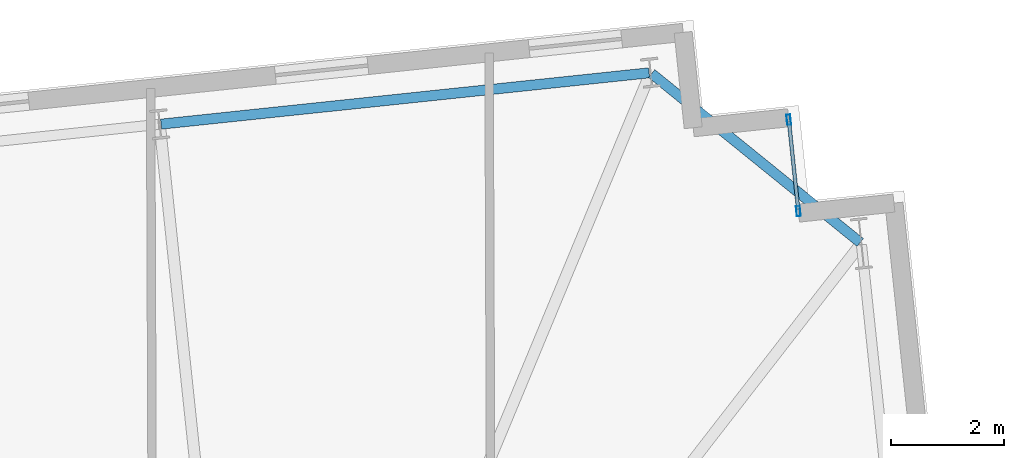
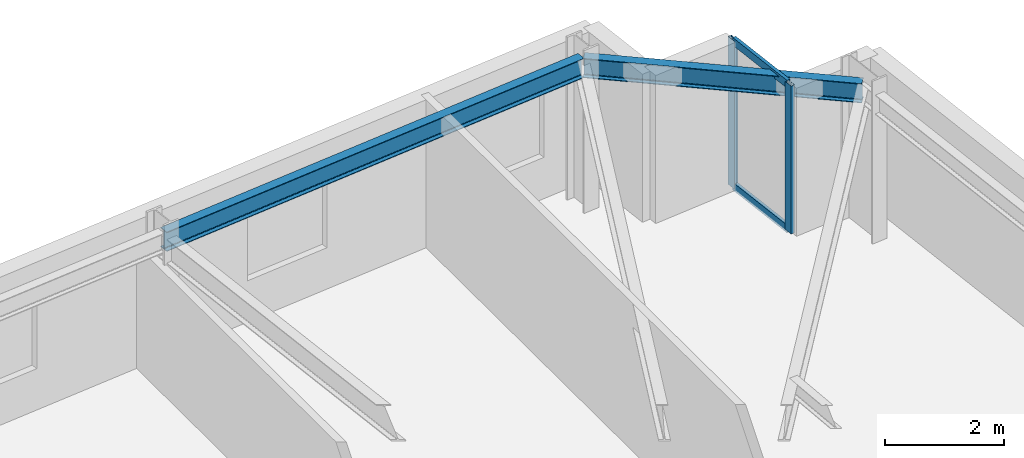
# One storey, part 10 of 18: 4 members, 2 beams, 1 element without a shape of its own.
"""IFC4 building model written with IfcOpenShell, lengths in metres."""

from ifc_helpers import new_model, si_unit, direction, frame, origin, origin_2d, place, context, subcontext, project, spatial, hollow_rectangle, i_section, extrude, material, layer, layer_set, material_profile, profile_set, type_object, element, aggregate, save


model = new_model("IFC4")

# Units and contexts
model_context = context("Model", 3, precision=1e-05, world=origin(), true_north=direction((0.0, 1.0)))
body_context = subcontext(model_context, "Body", "Model", "MODEL_VIEW")
ifc_project = project(units=[si_unit("LENGTHUNIT", "METRE"), si_unit("AREAUNIT", "SQUARE_METRE"), si_unit("VOLUMEUNIT", "CUBIC_METRE"), si_unit("PLANEANGLEUNIT", "RADIAN"), si_unit("MASSUNIT", "GRAM", prefix="KILO")], contexts=[model_context])

# Site, building, storey
site_placement = place(None, origin())
site = spatial("IfcSite", under=ifc_project, at=site_placement, CompositionType="ELEMENT")
building_placement = place(site_placement, origin())
building = spatial("IfcBuilding", under=site, at=building_placement, Name="Qobustan Lattice House", CompositionType="ELEMENT")
storey_placement = place(building_placement, frame((0.0, 0.0, 109.14990234375)))
storey = spatial("IfcBuildingStorey", under=building, at=storey_placement, Name="L30", CompositionType="ELEMENT", Elevation=109.14990234375)

# Beams
ifc_material_1 = material(Name="Steel S355", Category="steel")
ifc_material_profile_1 = material_profile(ifc_material_1, i_section(OverallWidth=0.179931640625, OverallDepth=0.39990234375, WebThickness=0.008544921875, FlangeThickness=0.013427734375, FilletRadius=0.02099609375, at=origin_2d()), Name="IPE400")
ifc_profile_set_1 = profile_set([ifc_material_profile_1], Name="Steel S355")
beam_type = type_object("IfcBeamType", Name="BM-SPD-IPE400", PredefinedType="SPANDREL", material=ifc_profile_set_1)
beam_1_placement = place(storey_placement, frame((29.536865234375, 19.484619140625, 2.84521484375), z_axis=(-0.777140911545, 0.629326627121, 0.0), x_axis=(-0.629326627121, -0.777140911545, 0.0)))
element("IfcBeam", 1, at=beam_1_placement, inside=storey, type_object=beam_type, Name="L30 perimeter spandrel E4-N1", PredefinedType="SPANDREL", context=body_context, shape_type="SweptSolid", body=[
    extrude(i_section(OverallWidth=0.179931640625, OverallDepth=0.39990234375, WebThickness=0.008544921875, FlangeThickness=0.013427734375, FilletRadius=0.02099609375, at=origin_2d()), origin(), (0.0, 0.0, 1.0), 4.758544921875),
])
beam_2_placement = place(storey_placement, frame((25.794677734375, 22.492431640625, 2.84521484375), z_axis=(-0.994521586424, -0.104531402636, 0.0), x_axis=(0.104531402636, -0.994521586424, 0.0)))
element("IfcBeam", 2, at=beam_2_placement, inside=storey, type_object=beam_type, Name="L30 perimeter spandrel N1-N2", PredefinedType="SPANDREL", context=body_context, shape_type="SweptSolid", body=[
    extrude(i_section(OverallWidth=0.179931640625, OverallDepth=0.39990234375, WebThickness=0.008544921875, FlangeThickness=0.013427734375, FilletRadius=0.02099609375, at=origin_2d()), origin(), (0.0, 0.0, 1.0), 8.699951171875),
])

# Curtain wall, members
ifc_material_2 = material(Name="Anodised aluminium and low-E glazing", Category="aluminium")
ifc_layer = layer(ifc_material_2, 0.219970703125)
ifc_layer_set = layer_set([ifc_layer], Name="Anodised aluminium and low-E glazing")
curtain_wall_type = type_object("IfcCurtainWallType", Name="CW-FAC-01", PredefinedType="USERDEFINED", material=ifc_layer_set)
curtain_wall_placement = place(storey_placement, origin())
curtain_wall = element("IfcCurtainWall", 3, at=curtain_wall_placement, inside=storey, type_object=curtain_wall_type, Name="L30 serrated corner faceted glazing 13", ObjectType="CURTAIN WALL", PredefinedType="USERDEFINED")
ifc_material_3 = material(Name="Anodised aluminium EN AW-6063 T6", Category="aluminium")
ifc_material_profile_2 = material_profile(ifc_material_3, hollow_rectangle(XDim=0.070068359375, YDim=0.179931640625, WallThickness=0.00439453125, at=origin_2d()), Name="CWM-180x70")
ifc_profile_set_2 = profile_set([ifc_material_profile_2], Name="Anodised aluminium EN AW-6063 T6")
member_type_1 = type_object("IfcMemberType", Name="CWM-STD-180", PredefinedType="MULLION", material=ifc_profile_set_2)
member_1_placement = place(storey_placement, frame((28.27001953125, 21.66162109375, 0.0), z_axis=(0.0, 0.0, 1.0), x_axis=(0.994521878892, 0.104528620025, 0.0)))
member_1 = element("IfcMember", 4, at=member_1_placement, type_object=member_type_1, Name="CW-F1 mullion 1", PredefinedType="MULLION", context=body_context, shape_type="SweptSolid", body=[
    extrude(hollow_rectangle(XDim=0.070068359375, YDim=0.179931640625, WallThickness=0.00439453125, at=origin_2d()), origin(), (0.0, 0.0, 1.0), 3.045166015625),
])
member_2_placement = place(storey_placement, frame((28.4404296875, 20.04052734375, 0.0), z_axis=(0.0, 0.0, 1.0), x_axis=(0.994521878892, 0.104528620025, 0.0)))
member_2 = element("IfcMember", 5, at=member_2_placement, type_object=member_type_1, Name="CW-F1 mullion 2", PredefinedType="MULLION", context=body_context, shape_type="SweptSolid", body=[
    extrude(hollow_rectangle(XDim=0.070068359375, YDim=0.179931640625, WallThickness=0.00439453125, at=origin_2d()), origin(), (0.0, 0.0, 1.0), 3.045166015625),
])
ifc_material_4 = material(Name="Anodised aluminium EN AW-6063 T6", Category="aluminium")
ifc_material_profile_3 = material_profile(ifc_material_4, hollow_rectangle(XDim=0.06494140625, YDim=0.159912109375, WallThickness=0.00390625, at=origin_2d()), Name="CWT-160x65")
ifc_profile_set_3 = profile_set([ifc_material_profile_3], Name="Anodised aluminium EN AW-6063 T6")
member_type_2 = type_object("IfcMemberType", Name="CWT-HOR-160", PredefinedType="USERDEFINED", material=ifc_profile_set_3)
member_3_placement = place(storey_placement, frame((28.273681640625, 21.626708984375, 0.03271484375), z_axis=(0.104538150424, -0.994520877159, 0.0), x_axis=(0.994520877159, 0.104538150424, 0.0)))
member_3 = element("IfcMember", 6, at=member_3_placement, type_object=member_type_2, Name="CW-F1 transom 1.1", ObjectType="TRANSOM", PredefinedType="USERDEFINED", context=body_context, shape_type="SweptSolid", body=[
    extrude(hollow_rectangle(XDim=0.06494140625, YDim=0.159912109375, WallThickness=0.00390625, at=origin_2d()), origin(), (0.0, 0.0, 1.0), 1.56005859375),
])
member_4_placement = place(storey_placement, frame((28.273681640625, 21.626708984375, 3.0126953125), z_axis=(0.104538150424, -0.994520877159, 0.0), x_axis=(0.994520877159, 0.104538150424, 0.0)))
member_4 = element("IfcMember", 7, at=member_4_placement, type_object=member_type_2, Name="CW-F1 transom 1.2", ObjectType="TRANSOM", PredefinedType="USERDEFINED", context=body_context, shape_type="SweptSolid", body=[
    extrude(hollow_rectangle(XDim=0.06494140625, YDim=0.159912109375, WallThickness=0.00390625, at=origin_2d()), origin(), (0.0, 0.0, 1.0), 1.56005859375),
])
aggregate(curtain_wall, [member_1, member_2, member_3, member_4])

save(model, "model.ifc")
